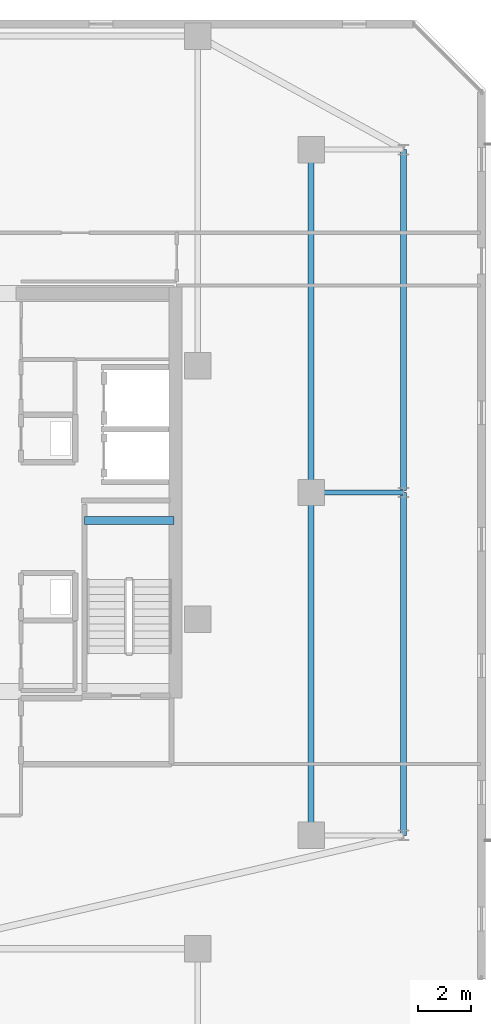
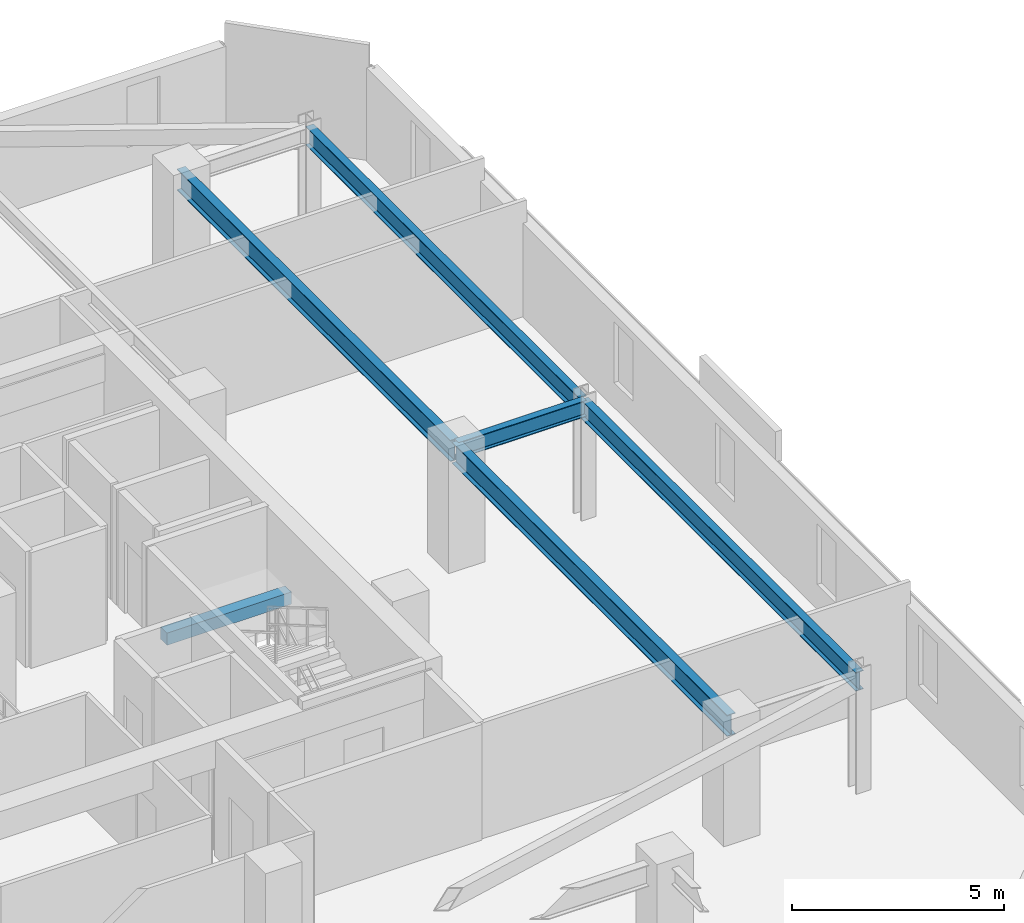
# One storey, part 13 of 32: 6 beams.
"""IFC4 building model written with IfcOpenShell, lengths in metres."""

from ifc_helpers import new_model, si_unit, direction, frame, origin, origin_2d, place, context, subcontext, project, spatial, rectangle, i_section, extrude, material, material_profile, profile_set, type_object, element, save


model = new_model("IFC4")

# Units and contexts
model_context = context("Model", 3, precision=1e-05, world=origin(), true_north=direction((0.0, 1.0)))
body_context = subcontext(model_context, "Body", "Model", "MODEL_VIEW")
ifc_project = project(units=[si_unit("LENGTHUNIT", "METRE"), si_unit("AREAUNIT", "SQUARE_METRE"), si_unit("VOLUMEUNIT", "CUBIC_METRE"), si_unit("PLANEANGLEUNIT", "RADIAN"), si_unit("MASSUNIT", "GRAM", prefix="KILO")], contexts=[model_context])

# Site, building, storey
site_placement = place(None, origin())
site = spatial("IfcSite", under=ifc_project, at=site_placement, CompositionType="ELEMENT")
building_placement = place(site_placement, origin())
building = spatial("IfcBuilding", under=site, at=building_placement, Name="Thornwick Lancets Civic Towers", CompositionType="ELEMENT")
storey_placement = place(building_placement, frame((0.0, 0.0, 240.300048828125)))
storey = spatial("IfcBuildingStorey", under=building, at=storey_placement, Name="L64", CompositionType="ELEMENT", Elevation=240.300048828125)

# Beams
ifc_material_1 = material(Name="Steel S355JR", Category="steel")
ifc_material_profile_1 = material_profile(ifc_material_1, i_section(OverallWidth=0.210693359375, OverallDepth=0.53955078125, WebThickness=0.01171875, FlangeThickness=0.018798828125, FilletRadius=0.0126953125, at=origin_2d()), Name="UKB 533x210x109")
ifc_profile_set_1 = profile_set([ifc_material_profile_1], Name="Steel S355JR")
beam_type_1 = type_object("IfcBeamType", Name="BM_EDGE_533_109", PredefinedType="SPANDREL", material=ifc_profile_set_1)
beam_1_placement = place(storey_placement, frame((109.300048828125, 14.0, 3.09033203125), z_axis=(0.0, 1.0, 0.0), x_axis=(-1.0, 0.0, 0.0)))
element("IfcBeam", 1, at=beam_1_placement, inside=storey, type_object=beam_type_1, Name="BM-EDGE-L64-B-S0-1", PredefinedType="SPANDREL", context=body_context, shape_type="SweptSolid", body=[
    extrude(i_section(OverallWidth=0.210693359375, OverallDepth=0.53955078125, WebThickness=0.01171875, FlangeThickness=0.018798828125, FilletRadius=0.0126953125, at=origin_2d()), origin(), (0.0, 0.0, 1.0), 13.0),
])
beam_2_placement = place(storey_placement, frame((109.300048828125, 27.080078125, 3.09033203125), z_axis=(0.0, 1.0, 0.0), x_axis=(-1.0, 0.0, 0.0)))
element("IfcBeam", 2, at=beam_2_placement, inside=storey, type_object=beam_type_1, Name="BM-EDGE-L64-B-S0-2", PredefinedType="SPANDREL", context=body_context, shape_type="SweptSolid", body=[
    extrude(i_section(OverallWidth=0.210693359375, OverallDepth=0.53955078125, WebThickness=0.01171875, FlangeThickness=0.018798828125, FilletRadius=0.0126953125, at=origin_2d()), origin(), (0.0, 0.0, 1.0), 12.919921875),
])
ifc_material_profile_2 = material_profile(ifc_material_1, i_section(OverallWidth=0.230224609375, OverallDepth=0.6171875, WebThickness=0.01318359375, FlangeThickness=0.022216796875, FilletRadius=0.0126953125, at=origin_2d()), Name="UKB 610x229x140")
ifc_profile_set_2 = profile_set([ifc_material_profile_2], Name="Steel S355JR")
beam_type_2 = type_object("IfcBeamType", Name="BM_GIRD_610_140", PredefinedType="BEAM", material=ifc_profile_set_2)
beam_3_placement = place(storey_placement, frame((105.800048828125, 14.0, 3.05126953125), z_axis=(0.0, 1.0, 0.0), x_axis=(-1.0, 0.0, 0.0)))
element("IfcBeam", 3, at=beam_3_placement, inside=storey, type_object=beam_type_2, Name="BM-SPINE-L64-B-0-1", PredefinedType="BEAM", context=body_context, shape_type="SweptSolid", body=[
    extrude(i_section(OverallWidth=0.230224609375, OverallDepth=0.6171875, WebThickness=0.01318359375, FlangeThickness=0.022216796875, FilletRadius=0.0126953125, at=origin_2d()), origin(), (0.0, 0.0, 1.0), 13.0),
])
beam_4_placement = place(storey_placement, frame((105.800048828125, 27.080078125, 3.05126953125), z_axis=(0.0, 1.0, 0.0), x_axis=(-1.0, 0.0, 0.0)))
element("IfcBeam", 4, at=beam_4_placement, inside=storey, type_object=beam_type_2, Name="BM-SPINE-L64-B-1-2", PredefinedType="BEAM", context=body_context, shape_type="SweptSolid", body=[
    extrude(i_section(OverallWidth=0.230224609375, OverallDepth=0.6171875, WebThickness=0.01318359375, FlangeThickness=0.022216796875, FilletRadius=0.0126953125, at=origin_2d()), origin(), (0.0, 0.0, 1.0), 12.919921875),
])
ifc_material_profile_3 = material_profile(ifc_material_1, i_section(OverallWidth=0.19287109375, OverallDepth=0.46728515625, WebThickness=0.011474609375, FlangeThickness=0.01953125, FilletRadius=0.01025390625, at=origin_2d()), Name="UKB 457x191x98")
ifc_profile_set_3 = profile_set([ifc_material_profile_3], Name="Steel S355JR")
beam_type_3 = type_object("IfcBeamType", Name="BM_JOIST_457_98", PredefinedType="JOIST", material=ifc_profile_set_3)
beam_5_placement = place(storey_placement, frame((105.800048828125, 27.0, 3.12646484375), z_axis=(1.0, 0.0, 0.0), x_axis=(0.0, 1.0, 0.0)))
element("IfcBeam", 5, at=beam_5_placement, inside=storey, type_object=beam_type_3, Name="BM-RAD-L64-B02", PredefinedType="JOIST", context=body_context, shape_type="SweptSolid", body=[
    extrude(i_section(OverallWidth=0.19287109375, OverallDepth=0.46728515625, WebThickness=0.011474609375, FlangeThickness=0.01953125, FilletRadius=0.01025390625, at=origin_2d()), origin(), (0.0, 0.0, 1.0), 3.5),
])
ifc_material_2 = material(Name="Concrete C40/50", Category="concrete")
ifc_material_profile_4 = material_profile(ifc_material_2, rectangle(XDim=0.300048828125, YDim=0.35009765625, at=origin_2d()), Name="RC 300x350")
ifc_profile_set_4 = profile_set([ifc_material_profile_4], Name="Concrete C40/50")
beam_type_4 = type_object("IfcBeamType", Name="BM_STAIR_LDG", PredefinedType="BEAM", material=ifc_profile_set_4)
beam_6_placement = place(storey_placement, frame((100.60009765625, 25.93505859375, 1.3779296875), z_axis=(-1.0, 0.0, 0.0), x_axis=(0.0, -1.0, 0.0)))
element("IfcBeam", 6, at=beam_6_placement, inside=storey, type_object=beam_type_4, Name="L64 ST-B1 Landing Support Beam 1", PredefinedType="BEAM", context=body_context, shape_type="SweptSolid", body=[
    extrude(rectangle(XDim=0.300048828125, YDim=0.35009765625, at=origin_2d()), origin(), (0.0, 0.0, 1.0), 3.400146484375),
])

save(model, "model.ifc")
